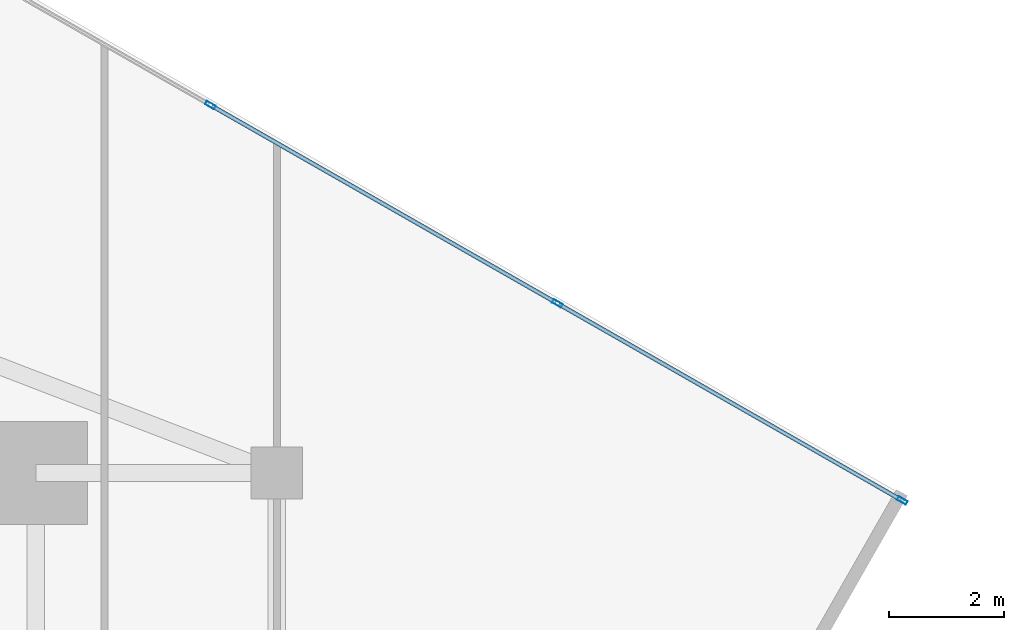
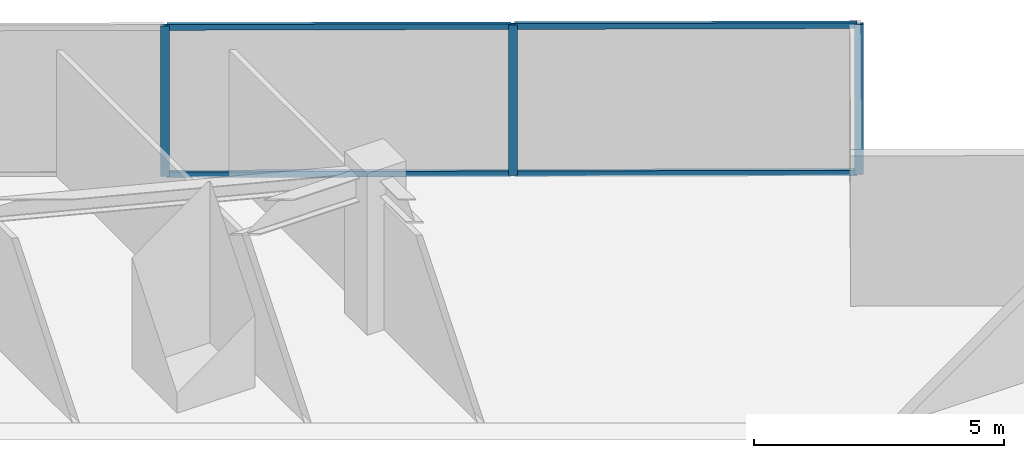
# One storey, part 17 of 24: 7 members, 1 element without a shape of its own.
"""IFC4 building model written with IfcOpenShell, lengths in metres."""

from ifc_helpers import new_model, si_unit, direction, frame, origin, origin_2d, place, context, subcontext, project, spatial, hollow_rectangle, extrude, source, transform, mapped, material, material_profile, profile_set, type_object, type_shapes, element, aggregate, save


model = new_model("IFC4")

# Units and contexts
model_context = context("Model", 3, precision=1e-05, world=origin(), true_north=direction((0.0, 1.0)))
body_context = subcontext(model_context, "Body", "Model", "MODEL_VIEW")
ifc_project = project(units=[si_unit("LENGTHUNIT", "METRE"), si_unit("AREAUNIT", "SQUARE_METRE"), si_unit("VOLUMEUNIT", "CUBIC_METRE"), si_unit("PLANEANGLEUNIT", "RADIAN"), si_unit("MASSUNIT", "GRAM", prefix="KILO")], contexts=[model_context])

# Site, building, storey
site_placement = place(None, origin())
site = spatial("IfcSite", under=ifc_project, at=site_placement, CompositionType="ELEMENT")
building_placement = place(site_placement, origin())
building = spatial("IfcBuilding", under=site, at=building_placement, Name="Krantzveldt Concourse Tower", CompositionType="ELEMENT")
storey_placement = place(building_placement, frame((0.0, 0.0, 165.949951171875)))
storey = spatial("IfcBuildingStorey", under=building, at=storey_placement, Name="L40", CompositionType="ELEMENT", Elevation=165.949951171875)

# Curtain wall, members
ifc_material = material(Name="Anodised aluminium 6063-T6", Category="aluminium")
curtain_wall_type = type_object("IfcCurtainWallType", Name="CW3", PredefinedType="USERDEFINED", material=ifc_material)
curtain_wall_placement = place(storey_placement, origin())
curtain_wall = element("IfcCurtainWall", 1, at=curtain_wall_placement, inside=storey, type_object=curtain_wall_type, Name="CW-L40-F14", ObjectType="UNITISED CURTAIN WALL", PredefinedType="USERDEFINED")
ifc_material_profile_1 = material_profile(ifc_material, hollow_rectangle(XDim=0.070068359375, YDim=0.179931640625, WallThickness=0.0048828125, at=origin_2d()), Name="Anodised aluminium 6063-T6", Category="aluminium")
ifc_profile_set_1 = profile_set([ifc_material_profile_1], Name="Anodised aluminium 6063-T6 - ALU-MULL 180x70x5")
member_type_1 = type_object("IfcMemberType", Name="CW-MUL-180", PredefinedType="MULLION", material=ifc_profile_set_1)
shared_shape_1 = source(origin(), body_context, "Body", "SweptSolid", [
    extrude(hollow_rectangle(XDim=0.070068359375, YDim=0.179931640625, WallThickness=0.0048828125, at=origin_2d()), origin(), (0.0, 0.0, 1.0), 3.670166015625),
])
type_shapes(member_type_1, [shared_shape_1])
member_1_placement = place(storey_placement, frame((61.898681640625, 37.0185546875, 0.0), z_axis=(0.0, 0.0, 1.0), x_axis=(-0.496216394392, -0.868198876949, 0.0)))
member_1 = element("IfcMember", 2, at=member_1_placement, type_object=member_type_1, Name="CW-Z34 mullion 1", PredefinedType="MULLION", context=body_context, shape_type="MappedRepresentation", body=[
    mapped(shared_shape_1, transform((0.0, 0.0, 0.0), x_axis=(1.0, 0.0, 0.0), y_axis=(0.0, 1.0, 0.0), z_axis=(0.0, 0.0, 1.0), scale=1.0)),
])
member_2_placement = place(storey_placement, frame((55.886474609375, 40.454833984375, 0.0), z_axis=(0.0, 0.0, 1.0), x_axis=(-0.496216394392, -0.868198876949, 0.0)))
member_2 = element("IfcMember", 3, at=member_2_placement, type_object=member_type_1, Name="CW-Z34 mullion 2", PredefinedType="MULLION", context=body_context, shape_type="MappedRepresentation", body=[
    mapped(shared_shape_1, transform((0.0, 0.0, 0.0), x_axis=(1.0, 0.0, 0.0), y_axis=(0.0, 1.0, 0.0), z_axis=(0.0, 0.0, 1.0), scale=1.0)),
])
member_3_placement = place(storey_placement, frame((49.84375, 43.90869140625, 0.0), z_axis=(0.0, 0.0, 1.0), x_axis=(-0.496216394392, -0.868198876949, 0.0)))
member_3 = element("IfcMember", 4, at=member_3_placement, type_object=member_type_1, Name="CW-Z34 mullion 3", PredefinedType="MULLION", context=body_context, shape_type="MappedRepresentation", body=[
    mapped(shared_shape_1, transform((0.0, 0.0, 0.0), x_axis=(1.0, 0.0, 0.0), y_axis=(0.0, 1.0, 0.0), z_axis=(0.0, 0.0, 1.0), scale=1.0)),
])
ifc_material_profile_2 = material_profile(ifc_material, hollow_rectangle(XDim=0.070068359375, YDim=0.139892578125, WallThickness=0.0048828125, at=origin_2d()), Name="Anodised aluminium 6063-T6", Category="aluminium")
ifc_profile_set_2 = profile_set([ifc_material_profile_2], Name="Anodised aluminium 6063-T6 - ALU-TRAN 140x70x5")
member_type_2 = type_object("IfcMemberType", Name="CW-TRN-150", PredefinedType="USERDEFINED", material=ifc_profile_set_2)
shared_shape_2 = source(origin(), body_context, "Body", "SweptSolid", [
    extrude(hollow_rectangle(XDim=0.070068359375, YDim=0.139892578125, WallThickness=0.0048828125, at=origin_2d()), origin(), (0.0, 0.0, 1.0), 6.89013671875),
])
member_4_placement = place(storey_placement, frame((55.856201171875, 40.47216796875, 0.03515625), z_axis=(-0.868199527911, 0.496215255443, 0.0), x_axis=(-0.496215255443, -0.868199527911, 0.0)))
member_4 = element("IfcMember", 5, at=member_4_placement, type_object=member_type_2, Name="CW-Z34 transom 2.1", ObjectType="TRANSOM", PredefinedType="USERDEFINED", context=body_context, shape_type="MappedRepresentation", body=[
    mapped(shared_shape_2, transform((0.0, 0.0, 0.0), x_axis=(1.0, 0.0, 0.0), y_axis=(0.0, 1.0, 0.0), z_axis=(0.0, 0.0, 1.0), scale=1.0)),
])
member_5_placement = place(storey_placement, frame((55.856201171875, 40.47216796875, 3.635009765625), z_axis=(-0.868199527911, 0.496215255443, 0.0), x_axis=(-0.496215255443, -0.868199527911, 0.0)))
member_5 = element("IfcMember", 6, at=member_5_placement, type_object=member_type_2, Name="CW-Z34 transom 2.2", ObjectType="TRANSOM", PredefinedType="USERDEFINED", context=body_context, shape_type="MappedRepresentation", body=[
    mapped(shared_shape_2, transform((0.0, 0.0, 0.0), x_axis=(1.0, 0.0, 0.0), y_axis=(0.0, 1.0, 0.0), z_axis=(0.0, 0.0, 1.0), scale=1.0)),
])
shared_shape_3 = source(origin(), body_context, "Body", "SweptSolid", [
    extrude(hollow_rectangle(XDim=0.070068359375, YDim=0.139892578125, WallThickness=0.0048828125, at=origin_2d()), origin(), (0.0, 0.0, 1.0), 6.855224609375),
])
type_shapes(member_type_2, [shared_shape_2, shared_shape_3])
member_6_placement = place(storey_placement, frame((61.868408203125, 37.035888671875, 0.03515625), z_axis=(-0.868201497918, 0.496211808618, 0.0), x_axis=(-0.496211808618, -0.868201497918, 0.0)))
member_6 = element("IfcMember", 7, at=member_6_placement, type_object=member_type_2, Name="CW-Z34 transom 1.1", ObjectType="TRANSOM", PredefinedType="USERDEFINED", context=body_context, shape_type="MappedRepresentation", body=[
    mapped(shared_shape_3, transform((0.0, 0.0, 0.0), x_axis=(1.0, 0.0, 0.0), y_axis=(0.0, 1.0, 0.0), z_axis=(0.0, 0.0, 1.0), scale=1.0)),
])
member_7_placement = place(storey_placement, frame((61.868408203125, 37.035888671875, 3.635009765625), z_axis=(-0.868201497918, 0.496211808618, 0.0), x_axis=(-0.496211808618, -0.868201497918, 0.0)))
member_7 = element("IfcMember", 8, at=member_7_placement, type_object=member_type_2, Name="CW-Z34 transom 1.2", ObjectType="TRANSOM", PredefinedType="USERDEFINED", context=body_context, shape_type="MappedRepresentation", body=[
    mapped(shared_shape_3, transform((0.0, 0.0, 0.0), x_axis=(1.0, 0.0, 0.0), y_axis=(0.0, 1.0, 0.0), z_axis=(0.0, 0.0, 1.0), scale=1.0)),
])
aggregate(curtain_wall, [member_1, member_2, member_3, member_6, member_7, member_4, member_5])

save(model, "model.ifc")
